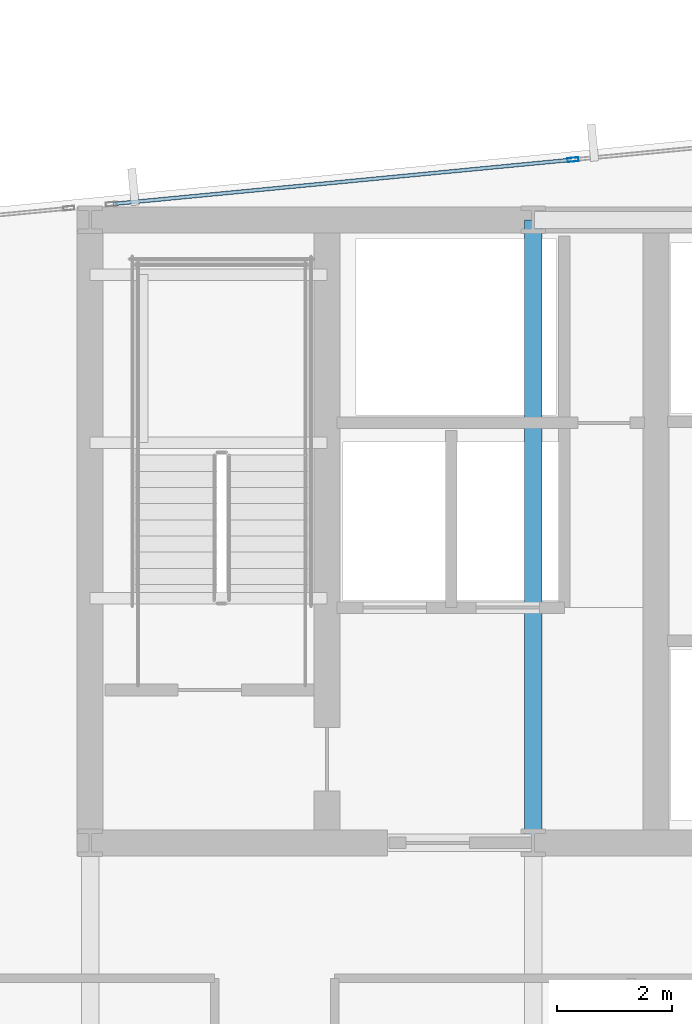
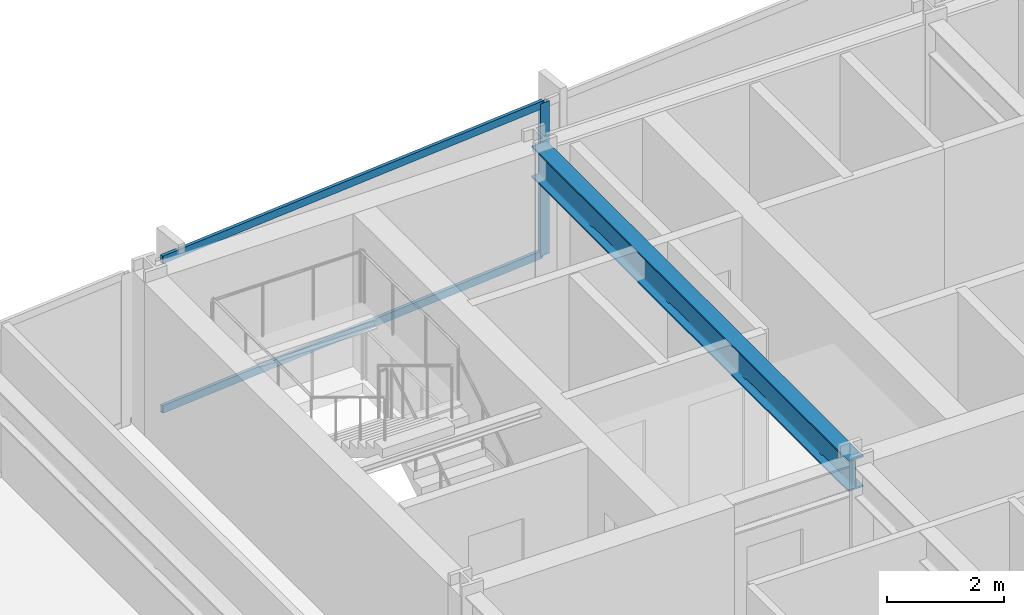
# One storey, part 18 of 32: 3 members, 1 beam, 1 element without a shape of its own.
"""IFC4 building model written with IfcOpenShell, lengths in metres."""

from ifc_helpers import new_model, si_unit, direction, frame, origin, origin_2d, place, context, subcontext, project, spatial, hollow_rectangle, i_section, extrude, material, material_profile, profile_set, type_object, element, aggregate, save


model = new_model("IFC4")

# Units and contexts
model_context = context("Model", 3, precision=1e-05, world=origin(), true_north=direction((0.0, 1.0)))
body_context = subcontext(model_context, "Body", "Model", "MODEL_VIEW")
ifc_project = project(units=[si_unit("LENGTHUNIT", "METRE"), si_unit("AREAUNIT", "SQUARE_METRE"), si_unit("VOLUMEUNIT", "CUBIC_METRE"), si_unit("PLANEANGLEUNIT", "RADIAN"), si_unit("MASSUNIT", "GRAM", prefix="KILO")], contexts=[model_context])

# Site, building, storey
site_placement = place(None, origin())
site = spatial("IfcSite", under=ifc_project, at=site_placement, CompositionType="ELEMENT")
building_placement = place(site_placement, origin())
building = spatial("IfcBuilding", under=site, at=building_placement, Name="Yelkora Congress Tower", CompositionType="ELEMENT")
storey_placement = place(building_placement, frame((0.0, 0.0, 93.10009765625)))
storey = spatial("IfcBuildingStorey", under=building, at=storey_placement, Name="L24", CompositionType="ELEMENT", Elevation=93.10009765625)

# Beam
ifc_material_1 = material(Name="Steel S355J2", Category="steel")
ifc_material_profile_1 = material_profile(ifc_material_1, i_section(OverallWidth=0.300048828125, OverallDepth=0.64990234375, WebThickness=0.01611328125, FlangeThickness=0.031005859375, FilletRadius=0.027099609375, at=origin_2d()), Name="HEB 650")
ifc_profile_set_1 = profile_set([ifc_material_profile_1], Name="Steel S355J2")
beam_type = type_object("IfcBeamType", Name="BM-GIRD-HEB650", PredefinedType="BEAM", material=ifc_profile_set_1)
beam_placement = place(storey_placement, frame((30.719970703125, 35.39990234375, 2.85498046875), z_axis=(0.0, 1.0, 0.0), x_axis=(-1.0, 0.0, 0.0)))
element("IfcBeam", 1, at=beam_placement, inside=storey, type_object=beam_type, Name="L24 Core Tie Girder MC-S2", PredefinedType="BEAM", context=body_context, shape_type="SweptSolid", body=[
    extrude(i_section(OverallWidth=0.300048828125, OverallDepth=0.64990234375, WebThickness=0.01611328125, FlangeThickness=0.031005859375, FilletRadius=0.027099609375, at=origin_2d()), origin(), (0.0, 0.0, 1.0), 10.800048828125),
])

# Curtain wall, members
ifc_material_2 = material(Name="Anodised aluminium and insulated glass", Category="aluminium")
curtain_wall_type = type_object("IfcCurtainWallType", Name="CW-SYS-B2", PredefinedType="NOTDEFINED", material=ifc_material_2)
curtain_wall_placement = place(storey_placement, origin())
curtain_wall = element("IfcCurtainWall", 2, at=curtain_wall_placement, inside=storey, type_object=curtain_wall_type, Name="L24 Unitised Curtain Wall 10 (3)", PredefinedType="NOTDEFINED")
ifc_material_3 = material(Name="Anodised aluminium 6063-T6", Category="aluminium")
ifc_material_profile_2 = material_profile(ifc_material_3, hollow_rectangle(XDim=0.070068359375, YDim=0.18994140625, WallThickness=0.00390625, at=origin_2d()), Name="ALU 70x190x4")
ifc_profile_set_2 = profile_set([ifc_material_profile_2], Name="Anodised aluminium 6063-T6")
member_type_1 = type_object("IfcMemberType", Name="MEM-ML-B2", PredefinedType="MULLION", material=ifc_profile_set_2)
member_1_placement = place(storey_placement, frame((31.411865234375, 47.244140625, 0.0), z_axis=(0.0, 0.0, 1.0), x_axis=(-0.095844238468, 0.995396344153, 0.0)))
member_1 = element("IfcMember", 3, at=member_1_placement, type_object=member_type_1, Name="CW-B2 mullion 2", PredefinedType="MULLION", context=body_context, shape_type="SweptSolid", body=[
    extrude(hollow_rectangle(XDim=0.070068359375, YDim=0.18994140625, WallThickness=0.00390625, at=origin_2d()), origin(), (0.0, 0.0, 1.0), 3.179931640625),
])
ifc_material_profile_3 = material_profile(ifc_material_3, hollow_rectangle(XDim=0.06494140625, YDim=0.159912109375, WallThickness=0.00390625, at=origin_2d()), Name="ALU 65x160x4")
ifc_profile_set_3 = profile_set([ifc_material_profile_3], Name="Anodised aluminium 6063-T6")
member_type_2 = type_object("IfcMemberType", Name="MEM-TR-B2", PredefinedType="USERDEFINED", material=ifc_profile_set_3)
member_2_placement = place(storey_placement, frame((23.441650390625, 46.476806640625, 0.032470703125), z_axis=(0.995398474706, 0.09582210889, 0.0), x_axis=(-0.09582210889, 0.995398474706, 0.0)))
member_2 = element("IfcMember", 4, at=member_2_placement, type_object=member_type_2, Name="CW-B2 transom 1.1", ObjectType="TRANSOM", PredefinedType="USERDEFINED", context=body_context, shape_type="SweptSolid", body=[
    extrude(hollow_rectangle(XDim=0.06494140625, YDim=0.159912109375, WallThickness=0.00390625, at=origin_2d()), origin(), (0.0, 0.0, 1.0), 7.97216796875),
])
member_3_placement = place(storey_placement, frame((23.441650390625, 46.476806640625, 3.1474609375), z_axis=(0.995398474706, 0.09582210889, 0.0), x_axis=(-0.09582210889, 0.995398474706, 0.0)))
member_3 = element("IfcMember", 5, at=member_3_placement, type_object=member_type_2, Name="CW-B2 transom 1.2", ObjectType="TRANSOM", PredefinedType="USERDEFINED", context=body_context, shape_type="SweptSolid", body=[
    extrude(hollow_rectangle(XDim=0.06494140625, YDim=0.159912109375, WallThickness=0.00390625, at=origin_2d()), origin(), (0.0, 0.0, 1.0), 7.97216796875),
])
aggregate(curtain_wall, [member_1, member_2, member_3])

save(model, "model.ifc")
